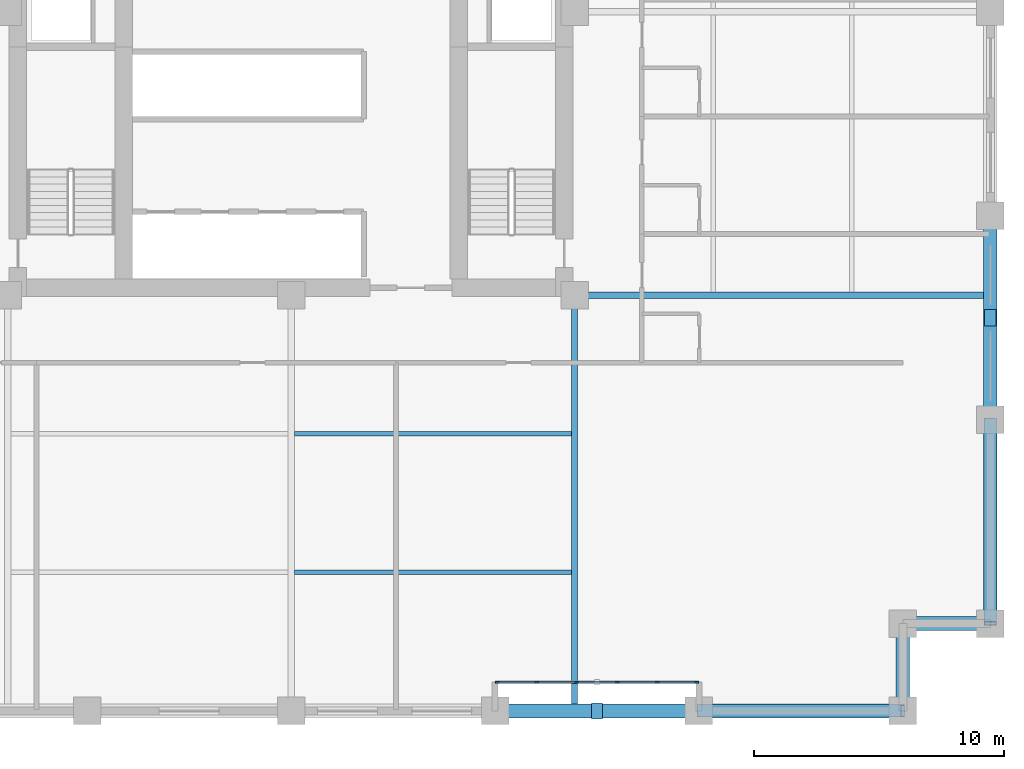
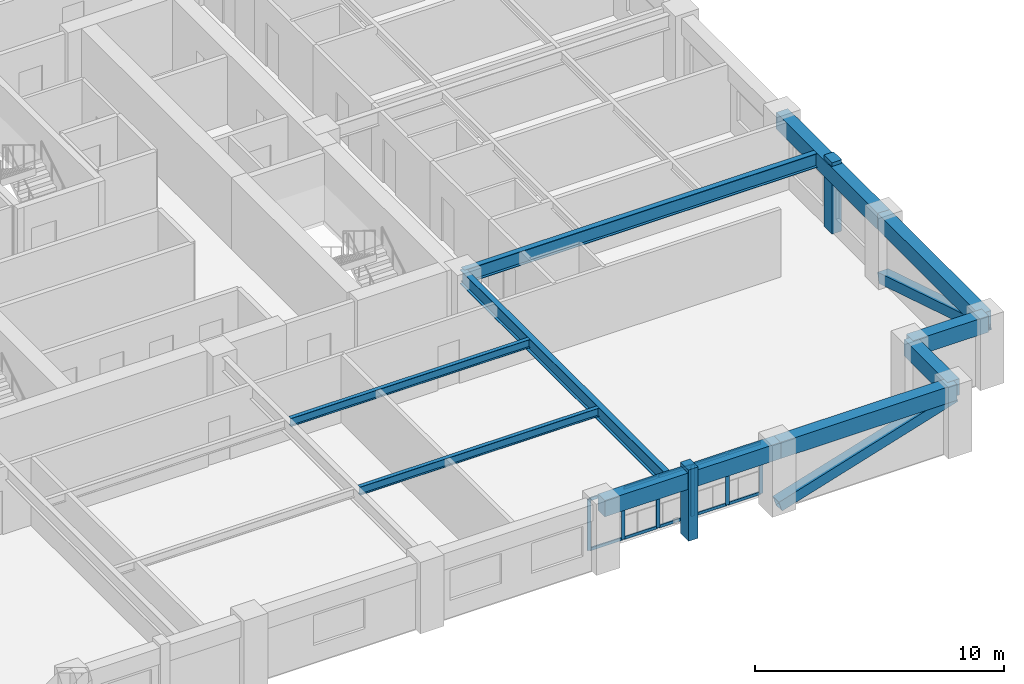
# One storey, part 2 of 9: 20 members, 10 beams, 1 element without a shape of its own.
"""IFC4 building model written with IfcOpenShell, lengths in metres."""

from ifc_helpers import new_model, si_unit, direction, frame, origin, origin_2d, place, context, subcontext, project, spatial, rectangle, hollow_rectangle, i_section, extrude, material, layer, layer_set, material_profile, profile_set, type_object, element, aggregate, save


model = new_model("IFC4")

# Units and contexts
model_context = context("Model", 3, precision=1e-05, world=origin(), true_north=direction((0.0, 1.0)))
body_context = subcontext(model_context, "Body", "Model", "MODEL_VIEW")
ifc_project = project(units=[si_unit("LENGTHUNIT", "METRE"), si_unit("AREAUNIT", "SQUARE_METRE"), si_unit("VOLUMEUNIT", "CUBIC_METRE"), si_unit("PLANEANGLEUNIT", "RADIAN"), si_unit("MASSUNIT", "GRAM", prefix="KILO")], contexts=[model_context])

# Site, building, storey
site_placement = place(None, origin())
site = spatial("IfcSite", under=ifc_project, at=site_placement, CompositionType="ELEMENT")
building_placement = place(site_placement, origin())
building = spatial("IfcBuilding", under=site, at=building_placement, Name="Nhamokura Convention Tower", CompositionType="ELEMENT")
storey_placement = place(building_placement, frame((0.0, 0.0, 66.85009765625)))
storey = spatial("IfcBuildingStorey", under=building, at=storey_placement, Name="L15", CompositionType="ELEMENT", Elevation=66.85009765625)

# Members
ifc_material_1 = material(Name="Bronze-pigmented precast concrete C45/55", Category="concrete")
ifc_material_profile_1 = material_profile(ifc_material_1, rectangle(XDim=0.449951171875, YDim=0.64990234375, at=origin_2d()))
ifc_profile_set_1 = profile_set([ifc_material_profile_1], Name="Bronze-pigmented precast concrete C45/55")
member_type_1 = type_object("IfcMemberType", Name="BronzePilaster_650", PredefinedType="USERDEFINED", material=ifc_profile_set_1)
for number, where, z_axis, x_axis, name in (
    (1, (44.25, 4.0, 0.0), (0.0, 0.0, 1.0), (1.0, 0.0, 0.0), "L15 Engaged Frame Pilaster SOUTH 4"),
    (2, (60.0, 19.75, 0.0), (0.0, 0.0, 1.0), (1.0, 0.0, 0.0), "L15 Engaged Frame Pilaster EAST 1"),
):
    element("IfcMember", number, at=place(storey_placement, frame(where, z_axis=z_axis, x_axis=x_axis)), inside=storey, type_object=member_type_1, Name=name, ObjectType="PILASTER_TRIM", PredefinedType="USERDEFINED", context=body_context, shape_type="SweptSolid", body=[
        extrude(rectangle(XDim=0.449951171875, YDim=0.64990234375, at=origin_2d()), origin(), (0.0, 0.0, 1.0), 3.5),
    ])

# Curtain wall, members
ifc_material_2 = material(Name="Anodised bronze aluminium AA6063-T6", Category="aluminium")
ifc_layer = layer(ifc_material_2, 0.1650390625)
ifc_layer_set = layer_set([ifc_layer], Name="CWSystem_ScaleSlot_Zone1")
curtain_wall_type = type_object("IfcCurtainWallType", Name="CWSystem_ScaleSlot_Zone1", PredefinedType="NOTDEFINED", material=ifc_layer_set)
curtain_wall_placement = place(storey_placement, origin())
curtain_wall = element("IfcCurtainWall", 3, at=curtain_wall_placement, inside=storey, type_object=curtain_wall_type, Name="L15 Curtain Wall ENV-L15-SLOT-S4", PredefinedType="NOTDEFINED")
ifc_material_3 = material(Name="Anodised bronze aluminium AA6063-T6", Category="aluminium")
ifc_material_profile_2 = material_profile(ifc_material_3, rectangle(XDim=0.06494140625, YDim=0.1650390625, at=origin_2d()))
ifc_profile_set_2 = profile_set([ifc_material_profile_2], Name="Anodised bronze aluminium AA6063-T6")
member_type_2 = type_object("IfcMemberType", Name="CWMullion_3", PredefinedType="MULLION", material=ifc_profile_set_2)
member_1_placement = place(storey_placement, frame((48.24072265625, 5.14990234375, 0.0), z_axis=(0.0, 0.0, 1.0), x_axis=(0.0, -1.0, 0.0)))
member_1 = element("IfcMember", 4, at=member_1_placement, type_object=member_type_2, Name="CW-03 mullion 1", PredefinedType="MULLION", context=body_context, shape_type="SweptSolid", body=[
    extrude(rectangle(XDim=0.06494140625, YDim=0.1650390625, at=origin_2d()), origin(), (0.0, 0.0, 1.0), 2.52001953125),
])
member_2_placement = place(storey_placement, frame((46.6640625, 5.14990234375, 0.0), z_axis=(0.0, 0.0, 1.0), x_axis=(0.0, -1.0, 0.0)))
member_2 = element("IfcMember", 5, at=member_2_placement, type_object=member_type_2, Name="CW-03 mullion 2", PredefinedType="MULLION", context=body_context, shape_type="SweptSolid", body=[
    extrude(rectangle(XDim=0.06494140625, YDim=0.1650390625, at=origin_2d()), origin(), (0.0, 0.0, 1.0), 2.52001953125),
])
member_3_placement = place(storey_placement, frame((45.0546875, 5.14990234375, 0.0), z_axis=(0.0, 0.0, 1.0), x_axis=(0.0, -1.0, 0.0)))
member_3 = element("IfcMember", 6, at=member_3_placement, type_object=member_type_2, Name="CW-03 mullion 3", PredefinedType="MULLION", context=body_context, shape_type="SweptSolid", body=[
    extrude(rectangle(XDim=0.06494140625, YDim=0.1650390625, at=origin_2d()), origin(), (0.0, 0.0, 1.0), 2.52001953125),
])
member_4_placement = place(storey_placement, frame((43.4453125, 5.14990234375, 0.0), z_axis=(0.0, 0.0, 1.0), x_axis=(0.0, -1.0, 0.0)))
member_4 = element("IfcMember", 7, at=member_4_placement, type_object=member_type_2, Name="CW-03 mullion 4", PredefinedType="MULLION", context=body_context, shape_type="SweptSolid", body=[
    extrude(rectangle(XDim=0.06494140625, YDim=0.1650390625, at=origin_2d()), origin(), (0.0, 0.0, 1.0), 2.52001953125),
])
member_5_placement = place(storey_placement, frame((41.8359375, 5.14990234375, 0.0), z_axis=(0.0, 0.0, 1.0), x_axis=(0.0, -1.0, 0.0)))
member_5 = element("IfcMember", 8, at=member_5_placement, type_object=member_type_2, Name="CW-03 mullion 5", PredefinedType="MULLION", context=body_context, shape_type="SweptSolid", body=[
    extrude(rectangle(XDim=0.06494140625, YDim=0.1650390625, at=origin_2d()), origin(), (0.0, 0.0, 1.0), 2.52001953125),
])
member_6_placement = place(storey_placement, frame((40.25927734375, 5.14990234375, 0.0), z_axis=(0.0, 0.0, 1.0), x_axis=(0.0, -1.0, 0.0)))
member_6 = element("IfcMember", 9, at=member_6_placement, type_object=member_type_2, Name="CW-03 mullion 6", PredefinedType="MULLION", context=body_context, shape_type="SweptSolid", body=[
    extrude(rectangle(XDim=0.06494140625, YDim=0.1650390625, at=origin_2d()), origin(), (0.0, 0.0, 1.0), 2.52001953125),
])
ifc_material_4 = material(Name="Anodised bronze aluminium AA6063-T6", Category="aluminium")
ifc_material_profile_3 = material_profile(ifc_material_4, rectangle(XDim=0.06494140625, YDim=0.139892578125, at=origin_2d()))
ifc_profile_set_3 = profile_set([ifc_material_profile_3], Name="Anodised bronze aluminium AA6063-T6")
member_type_3 = type_object("IfcMemberType", Name="CWTransom_3", PredefinedType="USERDEFINED", material=ifc_profile_set_3)
member_7_placement = place(storey_placement, frame((48.208251953125, 5.14990234375, 0.032470703125), z_axis=(-1.0, 0.0, 0.0), x_axis=(0.0, -1.0, 0.0)))
member_7 = element("IfcMember", 10, at=member_7_placement, type_object=member_type_3, Name="CW-03 transom 1.1", ObjectType="TRANSOM", PredefinedType="USERDEFINED", context=body_context, shape_type="SweptSolid", body=[
    extrude(rectangle(XDim=0.06494140625, YDim=0.139892578125, at=origin_2d()), origin(), (0.0, 0.0, 1.0), 1.51171875),
])
member_8_placement = place(storey_placement, frame((48.208251953125, 5.14990234375, 2.4873046875), z_axis=(-1.0, 0.0, 0.0), x_axis=(0.0, -1.0, 0.0)))
member_8 = element("IfcMember", 11, at=member_8_placement, type_object=member_type_3, Name="CW-03 transom 1.2", ObjectType="TRANSOM", PredefinedType="USERDEFINED", context=body_context, shape_type="SweptSolid", body=[
    extrude(rectangle(XDim=0.06494140625, YDim=0.139892578125, at=origin_2d()), origin(), (0.0, 0.0, 1.0), 1.51171875),
])
member_9_placement = place(storey_placement, frame((46.631591796875, 5.14990234375, 0.032470703125), z_axis=(-1.0, 0.0, 0.0), x_axis=(0.0, -1.0, 0.0)))
member_9 = element("IfcMember", 12, at=member_9_placement, type_object=member_type_3, Name="CW-03 transom 2.1", ObjectType="TRANSOM", PredefinedType="USERDEFINED", context=body_context, shape_type="SweptSolid", body=[
    extrude(rectangle(XDim=0.06494140625, YDim=0.139892578125, at=origin_2d()), origin(), (0.0, 0.0, 1.0), 1.54443359375),
])
member_10_placement = place(storey_placement, frame((46.631591796875, 5.14990234375, 2.4873046875), z_axis=(-1.0, 0.0, 0.0), x_axis=(0.0, -1.0, 0.0)))
member_10 = element("IfcMember", 13, at=member_10_placement, type_object=member_type_3, Name="CW-03 transom 2.2", ObjectType="TRANSOM", PredefinedType="USERDEFINED", context=body_context, shape_type="SweptSolid", body=[
    extrude(rectangle(XDim=0.06494140625, YDim=0.139892578125, at=origin_2d()), origin(), (0.0, 0.0, 1.0), 1.54443359375),
])
member_11_placement = place(storey_placement, frame((45.022216796875, 5.14990234375, 0.032470703125), z_axis=(-1.0, 0.0, 0.0), x_axis=(0.0, -1.0, 0.0)))
member_11 = element("IfcMember", 14, at=member_11_placement, type_object=member_type_3, Name="CW-03 transom 3.1", ObjectType="TRANSOM", PredefinedType="USERDEFINED", context=body_context, shape_type="SweptSolid", body=[
    extrude(rectangle(XDim=0.06494140625, YDim=0.139892578125, at=origin_2d()), origin(), (0.0, 0.0, 1.0), 1.54443359375),
])
member_12_placement = place(storey_placement, frame((45.022216796875, 5.14990234375, 2.4873046875), z_axis=(-1.0, 0.0, 0.0), x_axis=(0.0, -1.0, 0.0)))
member_12 = element("IfcMember", 15, at=member_12_placement, type_object=member_type_3, Name="CW-03 transom 3.2", ObjectType="TRANSOM", PredefinedType="USERDEFINED", context=body_context, shape_type="SweptSolid", body=[
    extrude(rectangle(XDim=0.06494140625, YDim=0.139892578125, at=origin_2d()), origin(), (0.0, 0.0, 1.0), 1.54443359375),
])
member_13_placement = place(storey_placement, frame((43.412841796875, 5.14990234375, 0.032470703125), z_axis=(-1.0, 0.0, 0.0), x_axis=(0.0, -1.0, 0.0)))
member_13 = element("IfcMember", 16, at=member_13_placement, type_object=member_type_3, Name="CW-03 transom 4.1", ObjectType="TRANSOM", PredefinedType="USERDEFINED", context=body_context, shape_type="SweptSolid", body=[
    extrude(rectangle(XDim=0.06494140625, YDim=0.139892578125, at=origin_2d()), origin(), (0.0, 0.0, 1.0), 1.54443359375),
])
member_14_placement = place(storey_placement, frame((43.412841796875, 5.14990234375, 2.4873046875), z_axis=(-1.0, 0.0, 0.0), x_axis=(0.0, -1.0, 0.0)))
member_14 = element("IfcMember", 17, at=member_14_placement, type_object=member_type_3, Name="CW-03 transom 4.2", ObjectType="TRANSOM", PredefinedType="USERDEFINED", context=body_context, shape_type="SweptSolid", body=[
    extrude(rectangle(XDim=0.06494140625, YDim=0.139892578125, at=origin_2d()), origin(), (0.0, 0.0, 1.0), 1.54443359375),
])
member_15_placement = place(storey_placement, frame((41.803466796875, 5.14990234375, 0.032470703125), z_axis=(-1.0, 0.0, 0.0), x_axis=(0.0, -1.0, 0.0)))
member_15 = element("IfcMember", 18, at=member_15_placement, type_object=member_type_3, Name="CW-03 transom 5.1", ObjectType="TRANSOM", PredefinedType="USERDEFINED", context=body_context, shape_type="SweptSolid", body=[
    extrude(rectangle(XDim=0.06494140625, YDim=0.139892578125, at=origin_2d()), origin(), (0.0, 0.0, 1.0), 1.51171875),
])
member_16_placement = place(storey_placement, frame((41.803466796875, 5.14990234375, 2.4873046875), z_axis=(-1.0, 0.0, 0.0), x_axis=(0.0, -1.0, 0.0)))
member_16 = element("IfcMember", 19, at=member_16_placement, type_object=member_type_3, Name="CW-03 transom 5.2", ObjectType="TRANSOM", PredefinedType="USERDEFINED", context=body_context, shape_type="SweptSolid", body=[
    extrude(rectangle(XDim=0.06494140625, YDim=0.139892578125, at=origin_2d()), origin(), (0.0, 0.0, 1.0), 1.51171875),
])
aggregate(curtain_wall, [member_1, member_2, member_3, member_4, member_5, member_6, member_7, member_8, member_9, member_10, member_11, member_12, member_13, member_14, member_15, member_16])

# Beams
ifc_material_5 = material(Name="Steel ASTM A992 Gr 50", Category="steel")
ifc_material_profile_4 = material_profile(ifc_material_5, i_section(OverallWidth=0.178955078125, OverallDepth=0.409912109375, WebThickness=0.0087890625, FlangeThickness=0.014404296875, at=origin_2d()))
ifc_profile_set_4 = profile_set([ifc_material_profile_4], Name="Steel ASTM A992 Gr 50")
beam_type_1 = type_object("IfcBeamType", Name="FloorJoist_W410X67", PredefinedType="JOIST", material=ifc_profile_set_4)
for number, where, z_axis, x_axis, name in (
    (20, (32.1259765625, 9.550048828125, 3.114990234375), (1.0, 0.0, 0.0), (0.0, 1.0, 0.0), "L15 Composite Floor Joist S1B"),
    (21, (32.1259765625, 15.10009765625, 3.114990234375), (1.0, 0.0, 0.0), (0.0, 1.0, 0.0), "L15 Composite Floor Joist S2B"),
):
    element("IfcBeam", number, at=place(storey_placement, frame(where, z_axis=z_axis, x_axis=x_axis)), inside=storey, type_object=beam_type_1, Name=name, PredefinedType="JOIST", context=body_context, shape_type="SweptSolid", body=[
        extrude(i_section(OverallWidth=0.178955078125, OverallDepth=0.409912109375, WebThickness=0.0087890625, FlangeThickness=0.014404296875, at=origin_2d()), origin(), (0.0, 0.0, 1.0), 11.09814453125),
    ])
ifc_material_6 = material(Name="Steel ASTM A992 Gr 50", Category="steel")
ifc_material_profile_5 = material_profile(ifc_material_6, i_section(OverallWidth=0.256103515625, OverallDepth=0.693115234375, WebThickness=0.014404296875, FlangeThickness=0.023681640625, at=origin_2d()))
ifc_profile_set_5 = profile_set([ifc_material_profile_5], Name="Steel ASTM A992 Gr 50")
beam_type_2 = type_object("IfcBeamType", Name="PrimaryGirder_W690X170", PredefinedType="BEAM", material=ifc_profile_set_5)
for number, where, z_axis, x_axis, name in (
    (22, (43.35009765625, 4.0, 2.973388671875), (0.0, 1.0, 0.0), (-1.0, 0.0, 0.0), "L15 Primary Floor Girder PG-S3"),
    (23, (43.35009765625, 20.64990234375, 2.973388671875), (1.0, 0.0, 0.0), (0.0, 1.0, 0.0), "L15 Primary Floor Girder PG-E1"),
):
    element("IfcBeam", number, at=place(storey_placement, frame(where, z_axis=z_axis, x_axis=x_axis)), inside=storey, type_object=beam_type_2, Name=name, PredefinedType="BEAM", context=body_context, shape_type="SweptSolid", body=[
        extrude(i_section(OverallWidth=0.256103515625, OverallDepth=0.693115234375, WebThickness=0.014404296875, FlangeThickness=0.023681640625, at=origin_2d()), origin(), (0.0, 0.0, 1.0), 16.64990234375),
    ])

# Members
ifc_material_7 = material(Name="Steel ASTM A572 Gr 50", Category="steel")
ifc_material_profile_6 = material_profile(ifc_material_7, hollow_rectangle(XDim=0.5, YDim=0.5, WallThickness=0.02490234375, at=origin_2d()))
ifc_profile_set_6 = profile_set([ifc_material_profile_6], Name="Steel ASTM A572 Gr 50")
member_type_4 = type_object("IfcMemberType", Name="TubeBrace_HSS500", PredefinedType="BRACE", material=ifc_profile_set_6)
for number, where, z_axis, x_axis, name in (
    (24, (48.333251953125, 4.0, 0.14990234375), (0.955542765986, 0.0, 0.294852543437), (0.0, 1.0, 0.0), "L15 Perimeter Tube Brace SOUTH Bay 5"),
    (25, (60.0, 15.666748046875, 0.14990234375), (0.0, -0.955542765986, 0.294852543437), (1.0, 0.0, 0.0), "L15 Perimeter Tube Brace EAST Bay 0"),
):
    element("IfcMember", number, at=place(storey_placement, frame(where, z_axis=z_axis, x_axis=x_axis)), inside=storey, type_object=member_type_4, Name=name, PredefinedType="BRACE", context=body_context, shape_type="SweptSolid", body=[
        extrude(hollow_rectangle(XDim=0.5, YDim=0.5, WallThickness=0.02490234375, at=origin_2d()), origin(), (0.0, 0.0, 1.0), 8.546630859375),
    ])

# Beams
ifc_material_8 = material(Name="Concrete C50/60", Category="concrete")
ifc_material_profile_7 = material_profile(ifc_material_8, rectangle(XDim=0.550048828125, YDim=0.800048828125, at=origin_2d()))
ifc_profile_set_7 = profile_set([ifc_material_profile_7], Name="Concrete C50/60")
beam_type_3 = type_object("IfcBeamType", Name="TubeSpandrel_800", PredefinedType="SPANDREL", material=ifc_profile_set_7)
beam_1_placement = place(storey_placement, frame((40.166748046875, 4.0, 2.919921875), z_axis=(1.0, 0.0, 0.0), x_axis=(0.0, 1.0, 0.0)))
element("IfcBeam", 26, at=beam_1_placement, inside=storey, type_object=beam_type_3, Name="L15 Perimeter Spandrel SOUTH 5", PredefinedType="SPANDREL", context=body_context, shape_type="SweptSolid", body=[
    extrude(rectangle(XDim=0.550048828125, YDim=0.800048828125, at=origin_2d()), origin(), (0.0, 0.0, 1.0), 8.16650390625),
])
for number, where, z_axis, x_axis, name in (
    (27, (48.333251953125, 4.0, 2.919921875), (1.0, 0.0, 0.0), (0.0, 1.0, 0.0), "L15 Perimeter Spandrel SOUTH 6"),
    (28, (60.0, 7.5, 2.919921875), (0.0, 1.0, 0.0), (-1.0, 0.0, 0.0), "L15 Perimeter Spandrel EAST 1"),
):
    element("IfcBeam", number, at=place(storey_placement, frame(where, z_axis=z_axis, x_axis=x_axis)), inside=storey, type_object=beam_type_3, Name=name, PredefinedType="SPANDREL", context=body_context, shape_type="SweptSolid", body=[
        extrude(rectangle(XDim=0.550048828125, YDim=0.800048828125, at=origin_2d()), origin(), (0.0, 0.0, 1.0), 8.166748046875),
    ])
beam_2_placement = place(storey_placement, frame((60.0, 15.666748046875, 2.919921875), z_axis=(0.0, 1.0, 0.0), x_axis=(-1.0, 0.0, 0.0)))
element("IfcBeam", 29, at=beam_2_placement, inside=storey, type_object=beam_type_3, Name="L15 Perimeter Spandrel EAST 2", PredefinedType="SPANDREL", context=body_context, shape_type="SweptSolid", body=[
    extrude(rectangle(XDim=0.550048828125, YDim=0.800048828125, at=origin_2d()), origin(), (0.0, 0.0, 1.0), 8.16650390625),
])
for number, where, z_axis, x_axis, name in (
    (30, (56.5, 4.0, 2.919921875), (0.0, 1.0, 0.0), (-1.0, 0.0, 0.0), "L15 Notch Spandrel SE1"),
    (31, (56.5, 7.5, 2.919921875), (1.0, 0.0, 0.0), (0.0, 1.0, 0.0), "L15 Notch Spandrel SE2"),
):
    element("IfcBeam", number, at=place(storey_placement, frame(where, z_axis=z_axis, x_axis=x_axis)), inside=storey, type_object=beam_type_3, Name=name, PredefinedType="SPANDREL", context=body_context, shape_type="SweptSolid", body=[
        extrude(rectangle(XDim=0.550048828125, YDim=0.800048828125, at=origin_2d()), origin(), (0.0, 0.0, 1.0), 3.5),
    ])

save(model, "model.ifc")
